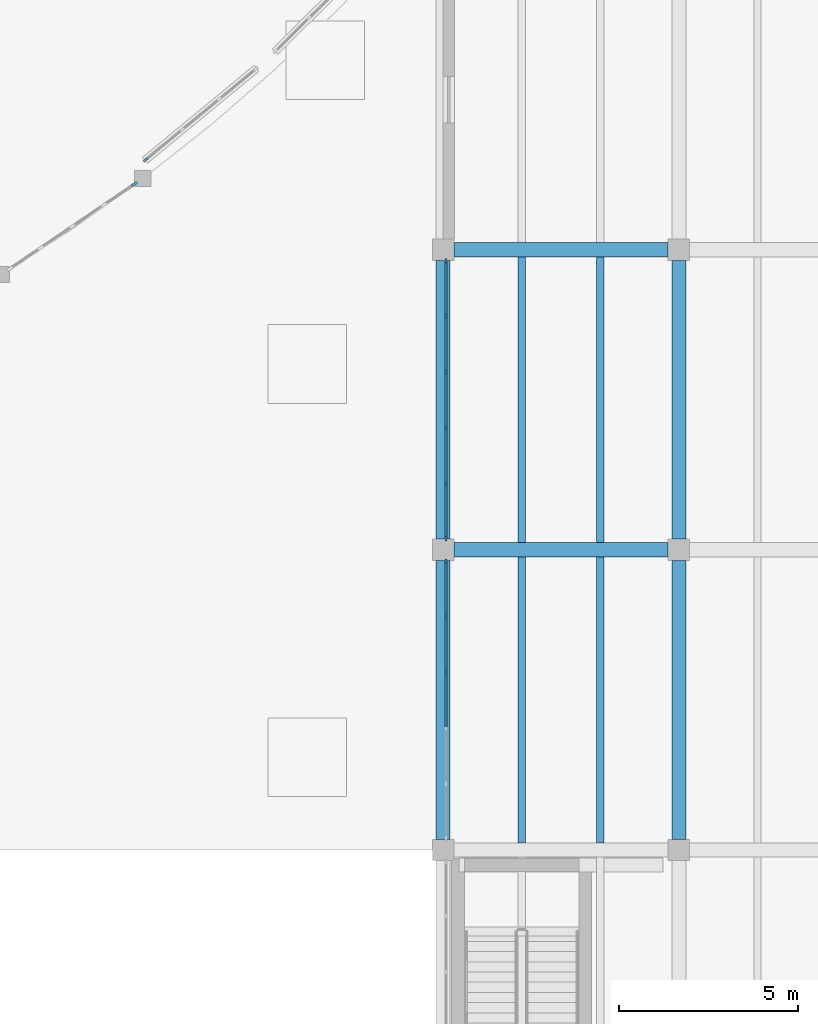
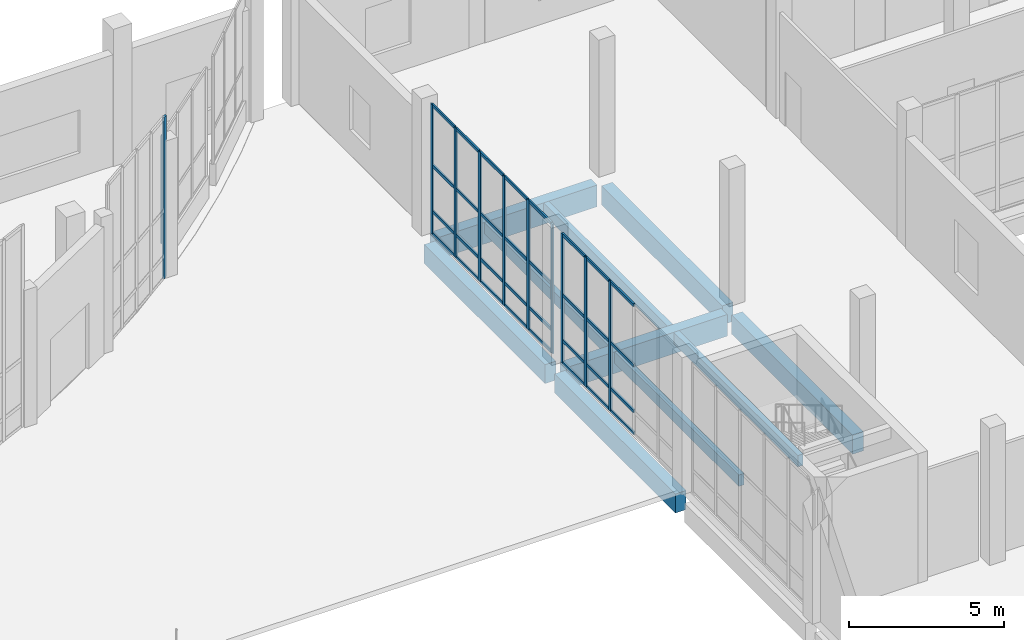
# One storey, part 24 of 64: 43 members, 10 beams, 4 elements without a shape of their own.
"""IFC4 building model written with IfcOpenShell, lengths in metres."""

from ifc_helpers import new_model, si_unit, direction, frame, origin, origin_2d, place, context, subcontext, project, spatial, rectangle, extrude, material, material_profile, profile_set, type_object, element, aggregate, save


model = new_model("IFC4")

# Units and contexts
model_context = context("Model", 3, precision=1e-05, world=origin(), true_north=direction((0.0, 1.0)))
body_context = subcontext(model_context, "Body", "Model", "MODEL_VIEW")
ifc_project = project(units=[si_unit("LENGTHUNIT", "METRE"), si_unit("AREAUNIT", "SQUARE_METRE"), si_unit("VOLUMEUNIT", "CUBIC_METRE"), si_unit("PLANEANGLEUNIT", "RADIAN"), si_unit("MASSUNIT", "GRAM", prefix="KILO")], contexts=[model_context])

# Site, building, storey
site_placement = place(None, origin())
site = spatial("IfcSite", under=ifc_project, at=site_placement, CompositionType="ELEMENT")
building_placement = place(site_placement, origin())
building = spatial("IfcBuilding", under=site, at=building_placement, Name="Qaldarim Faculty of Natural and Applied Sciences", CompositionType="ELEMENT")
storey_placement = place(building_placement, origin())
storey = spatial("IfcBuildingStorey", under=building, at=storey_placement, Name="L00", CompositionType="ELEMENT", Elevation=0.0)

# Beams
ifc_material_1 = material(Name="Concrete C50/60", Category="concrete")
ifc_material_profile_1 = material_profile(ifc_material_1, rectangle(XDim=0.39990234375, YDim=0.75, at=origin_2d()), Name="RC-B400x750")
ifc_profile_set_1 = profile_set([ifc_material_profile_1], Name="Concrete C50/60")
beam_type_1 = type_object("IfcBeamType", Name="LabGirder-RC400x750", PredefinedType="BEAM", material=ifc_profile_set_1)
beam_1_placement = place(storey_placement, frame((151.800048828125, 92.699951171875, -0.735107421875), z_axis=(0.0, 1.0, 0.0), x_axis=(-1.0, 0.0, 0.0)))
element("IfcBeam", 1, at=beam_1_placement, inside=storey, type_object=beam_type_1, Name="Beam RC-B400x750 B01 X24/Y12-Y13", PredefinedType="BEAM", context=body_context, shape_type="SweptSolid", body=[
    extrude(rectangle(XDim=0.39990234375, YDim=0.75, at=origin_2d()), origin(), (0.0, 0.0, 1.0), 7.800048828125),
])
beam_2_placement = place(storey_placement, frame((151.800048828125, 101.10009765625, -0.735107421875), z_axis=(0.0, 1.0, 0.0), x_axis=(-1.0, 0.0, 0.0)))
element("IfcBeam", 2, at=beam_2_placement, inside=storey, type_object=beam_type_1, Name="Beam RC-B400x750 B01 X24/Y13-Y14", PredefinedType="BEAM", context=body_context, shape_type="SweptSolid", body=[
    extrude(rectangle(XDim=0.39990234375, YDim=0.75, at=origin_2d()), origin(), (0.0, 0.0, 1.0), 7.7998046875),
])
beam_3_placement = place(storey_placement, frame((158.39990234375, 92.699951171875, -0.735107421875), z_axis=(0.0, 1.0, 0.0), x_axis=(-1.0, 0.0, 0.0)))
element("IfcBeam", 3, at=beam_3_placement, inside=storey, type_object=beam_type_1, Name="Beam RC-B400x750 B01 X25/Y12-Y13", PredefinedType="BEAM", context=body_context, shape_type="SweptSolid", body=[
    extrude(rectangle(XDim=0.39990234375, YDim=0.75, at=origin_2d()), origin(), (0.0, 0.0, 1.0), 7.800048828125),
])
beam_4_placement = place(storey_placement, frame((158.39990234375, 101.10009765625, -0.735107421875), z_axis=(0.0, 1.0, 0.0), x_axis=(-1.0, 0.0, 0.0)))
element("IfcBeam", 4, at=beam_4_placement, inside=storey, type_object=beam_type_1, Name="Beam RC-B400x750 B01 X25/Y13-Y14", PredefinedType="BEAM", context=body_context, shape_type="SweptSolid", body=[
    extrude(rectangle(XDim=0.39990234375, YDim=0.75, at=origin_2d()), origin(), (0.0, 0.0, 1.0), 7.7998046875),
])
ifc_material_2 = material(Name="Concrete C40/50", Category="concrete")
ifc_material_profile_2 = material_profile(ifc_material_2, rectangle(XDim=0.199951171875, YDim=0.449951171875, at=origin_2d()), Name="RC-J200x450")
ifc_profile_set_2 = profile_set([ifc_material_profile_2], Name="Concrete C40/50")
beam_type_2 = type_object("IfcBeamType", Name="LabJoist-RC200x450", PredefinedType="JOIST", material=ifc_profile_set_2)
for number, where, z_axis, x_axis, name in (
    (5, (154.0, 92.60009765625, -0.5849609375), (0.0, 1.0, 0.0), (-1.0, 0.0, 0.0), "Laboratory joist B01 bay X24Y12-1"),
    (6, (156.199951171875, 92.60009765625, -0.5849609375), (0.0, 1.0, 0.0), (-1.0, 0.0, 0.0), "Laboratory joist B01 bay X24Y12-2"),
    (7, (154.0, 101.0, -0.5849609375), (0.0, 1.0, 0.0), (-1.0, 0.0, 0.0), "Laboratory joist B01 bay X24Y13-1"),
    (8, (156.199951171875, 101.0, -0.5849609375), (0.0, 1.0, 0.0), (-1.0, 0.0, 0.0), "Laboratory joist B01 bay X24Y13-2"),
):
    element("IfcBeam", number, at=place(storey_placement, frame(where, z_axis=z_axis, x_axis=x_axis)), inside=storey, type_object=beam_type_2, Name=name, PredefinedType="JOIST", context=body_context, shape_type="SweptSolid", body=[
        extrude(rectangle(XDim=0.199951171875, YDim=0.449951171875, at=origin_2d()), origin(), (0.0, 0.0, 1.0), 8.0),
    ])

# Curtain wall, members
ifc_material_3 = material(Name="Anodised aluminium AW-6063", Category="aluminium")
curtain_wall_type_1 = type_object("IfcCurtainWallType", Name="CurtainWallSystem-M1600", PredefinedType="USERDEFINED", material=ifc_material_3)
curtain_wall_1_placement = place(storey_placement, origin())
curtain_wall_1 = element("IfcCurtainWall", 9, at=curtain_wall_1_placement, inside=storey, type_object=curtain_wall_type_1, Name="Curtain wall CW-L00-W-X24Y12", ObjectType="UNITISED FACADE", PredefinedType="USERDEFINED")
ifc_material_profile_3 = material_profile(ifc_material_3, rectangle(XDim=0.06005859375, YDim=0.14990234375, at=origin_2d()), Name="ALU-M60x150")
ifc_profile_set_3 = profile_set([ifc_material_profile_3], Name="Anodised aluminium AW-6063")
member_type_1 = type_object("IfcMemberType", Name="Mullion-ALU60x150", PredefinedType="MULLION", material=ifc_profile_set_3)
member_1_placement = place(storey_placement, frame((151.8798828125, 100.47509765625, 0.0), z_axis=(0.0, 0.0, 1.0), x_axis=(1.0, 0.0, 0.0)))
member_1 = element("IfcMember", 10, at=member_1_placement, type_object=member_type_1, Name="Mullion 1 of CW-L00-W-X24Y12", PredefinedType="MULLION", context=body_context, shape_type="SweptSolid", body=[
    extrude(rectangle(XDim=0.06005859375, YDim=0.14990234375, at=origin_2d()), origin(), (0.0, 0.0, 1.0), 5.10009765625),
])
member_2_placement = place(storey_placement, frame((151.8798828125, 98.943115234375, 0.0), z_axis=(0.0, 0.0, 1.0), x_axis=(1.0, 0.0, 0.0)))
member_2 = element("IfcMember", 11, at=member_2_placement, type_object=member_type_1, Name="Mullion 2 of CW-L00-W-X24Y12", PredefinedType="MULLION", context=body_context, shape_type="SweptSolid", body=[
    extrude(rectangle(XDim=0.06005859375, YDim=0.14990234375, at=origin_2d()), origin(), (0.0, 0.0, 1.0), 5.10009765625),
])
member_3_placement = place(storey_placement, frame((151.8798828125, 97.381103515625, 0.0), z_axis=(0.0, 0.0, 1.0), x_axis=(1.0, 0.0, 0.0)))
member_3 = element("IfcMember", 12, at=member_3_placement, type_object=member_type_1, Name="Mullion 3 of CW-L00-W-X24Y12", PredefinedType="MULLION", context=body_context, shape_type="SweptSolid", body=[
    extrude(rectangle(XDim=0.06005859375, YDim=0.14990234375, at=origin_2d()), origin(), (0.0, 0.0, 1.0), 5.10009765625),
])

curtain_wall_2_placement = place(storey_placement, origin())
curtain_wall_2 = element("IfcCurtainWall", 13, at=curtain_wall_2_placement, inside=storey, type_object=curtain_wall_type_1, Name="Curtain wall CW-L00-W-X24Y13", ObjectType="UNITISED FACADE", PredefinedType="USERDEFINED")
member_4_placement = place(storey_placement, frame((151.8798828125, 108.875, 0.0), z_axis=(0.0, 0.0, 1.0), x_axis=(1.0, 0.0, 0.0)))
member_4 = element("IfcMember", 14, at=member_4_placement, type_object=member_type_1, Name="Mullion 1 of CW-L00-W-X24Y13", PredefinedType="MULLION", context=body_context, shape_type="SweptSolid", body=[
    extrude(rectangle(XDim=0.06005859375, YDim=0.14990234375, at=origin_2d()), origin(), (0.0, 0.0, 1.0), 5.10009765625),
])
member_5_placement = place(storey_placement, frame((151.8798828125, 107.343017578125, 0.0), z_axis=(0.0, 0.0, 1.0), x_axis=(1.0, 0.0, 0.0)))
member_5 = element("IfcMember", 15, at=member_5_placement, type_object=member_type_1, Name="Mullion 2 of CW-L00-W-X24Y13", PredefinedType="MULLION", context=body_context, shape_type="SweptSolid", body=[
    extrude(rectangle(XDim=0.06005859375, YDim=0.14990234375, at=origin_2d()), origin(), (0.0, 0.0, 1.0), 5.10009765625),
])
member_6_placement = place(storey_placement, frame((151.8798828125, 105.781005859375, 0.0), z_axis=(0.0, 0.0, 1.0), x_axis=(1.0, 0.0, 0.0)))
member_6 = element("IfcMember", 16, at=member_6_placement, type_object=member_type_1, Name="Mullion 3 of CW-L00-W-X24Y13", PredefinedType="MULLION", context=body_context, shape_type="SweptSolid", body=[
    extrude(rectangle(XDim=0.06005859375, YDim=0.14990234375, at=origin_2d()), origin(), (0.0, 0.0, 1.0), 5.10009765625),
])
member_7_placement = place(storey_placement, frame((151.8798828125, 104.218994140625, 0.0), z_axis=(0.0, 0.0, 1.0), x_axis=(1.0, 0.0, 0.0)))
member_7 = element("IfcMember", 17, at=member_7_placement, type_object=member_type_1, Name="Mullion 4 of CW-L00-W-X24Y13", PredefinedType="MULLION", context=body_context, shape_type="SweptSolid", body=[
    extrude(rectangle(XDim=0.06005859375, YDim=0.14990234375, at=origin_2d()), origin(), (0.0, 0.0, 1.0), 5.10009765625),
])
member_8_placement = place(storey_placement, frame((151.8798828125, 102.656982421875, 0.0), z_axis=(0.0, 0.0, 1.0), x_axis=(1.0, 0.0, 0.0)))
member_8 = element("IfcMember", 18, at=member_8_placement, type_object=member_type_1, Name="Mullion 5 of CW-L00-W-X24Y13", PredefinedType="MULLION", context=body_context, shape_type="SweptSolid", body=[
    extrude(rectangle(XDim=0.06005859375, YDim=0.14990234375, at=origin_2d()), origin(), (0.0, 0.0, 1.0), 5.10009765625),
])
member_9_placement = place(storey_placement, frame((151.8798828125, 101.125, 0.0), z_axis=(0.0, 0.0, 1.0), x_axis=(1.0, 0.0, 0.0)))
member_9 = element("IfcMember", 19, at=member_9_placement, type_object=member_type_1, Name="Mullion 6 of CW-L00-W-X24Y13", PredefinedType="MULLION", context=body_context, shape_type="SweptSolid", body=[
    extrude(rectangle(XDim=0.06005859375, YDim=0.14990234375, at=origin_2d()), origin(), (0.0, 0.0, 1.0), 5.10009765625),
])

# Curtain wall, member
curtain_wall_type_2 = type_object("IfcCurtainWallType", Name="CurtainWallSystem-M1400", PredefinedType="USERDEFINED", material=ifc_material_3)
curtain_wall_3_placement = place(storey_placement, origin())
curtain_wall_3 = element("IfcCurtainWall", 20, at=curtain_wall_3_placement, inside=storey, type_object=curtain_wall_type_2, Name="Curtain wall CW-V4ARC-L00-14", ObjectType="STICK CURTAIN WALL", PredefinedType="USERDEFINED")
member_10_placement = place(storey_placement, frame((143.478271484375, 111.718994140625, 0.85009765625), z_axis=(0.0, 0.0, 1.0), x_axis=(-0.635930067271, 0.771746687418, 0.0)))
member_10 = element("IfcMember", 21, at=member_10_placement, type_object=member_type_1, Name="Mullion 1 of CW-V4ARC-L00-14", PredefinedType="MULLION", context=body_context, shape_type="SweptSolid", body=[
    extrude(rectangle(XDim=0.06005859375, YDim=0.14990234375, at=origin_2d()), origin(), (0.0, 0.0, 1.0), 4.25),
])
aggregate(curtain_wall_3, [member_10])

curtain_wall_type_3 = type_object("IfcCurtainWallType", Name="CurtainWallSystem-M1200", PredefinedType="USERDEFINED", material=ifc_material_3)
curtain_wall_4_placement = place(storey_placement, origin())
curtain_wall_4 = element("IfcCurtainWall", 22, at=curtain_wall_4_placement, inside=storey, type_object=curtain_wall_type_3, Name="Curtain wall CW-PORT-ARCH-6", ObjectType="STICK CURTAIN WALL", PredefinedType="USERDEFINED")
ifc_material_profile_4 = material_profile(ifc_material_3, rectangle(XDim=0.070068359375, YDim=0.179931640625, at=origin_2d()), Name="ALU-M70x180")
ifc_profile_set_4 = profile_set([ifc_material_profile_4], Name="Anodised aluminium AW-6063")
member_type_2 = type_object("IfcMemberType", Name="Mullion-ALU70x180", PredefinedType="MULLION", material=ifc_profile_set_4)
member_11_placement = place(storey_placement, frame((143.160888671875, 111.035400390625, 0.0), z_axis=(0.0, 0.0, 1.0), x_axis=(-0.561953453405, 0.827168855921, 0.0)))
member_11 = element("IfcMember", 23, at=member_11_placement, type_object=member_type_2, Name="Mullion 5 of CW-PORT-ARCH-6", PredefinedType="MULLION", context=body_context, shape_type="SweptSolid", body=[
    extrude(rectangle(XDim=0.070068359375, YDim=0.179931640625, at=origin_2d()), origin(), (0.0, 0.0, 1.0), 6.35009765625),
])
aggregate(curtain_wall_4, [member_11])

# Beams
ifc_material_profile_5 = material_profile(ifc_material_1, rectangle(XDim=0.39990234375, YDim=0.85009765625, at=origin_2d()), Name="RC-B400x850")
ifc_profile_set_5 = profile_set([ifc_material_profile_5], Name="Concrete C50/60")
beam_type_3 = type_object("IfcBeamType", Name="PodiumGirder-RC400x850", PredefinedType="BEAM", material=ifc_profile_set_5)
for number, where, z_axis, x_axis, name in (
    (24, (152.10009765625, 100.800048828125, -0.784912109375), (1.0, 0.0, 0.0), (0.0, 1.0, 0.0), "Beam RC-B400x850 B01 X24-X25/Y13"),
    (25, (152.10009765625, 109.199951171875, -0.784912109375), (1.0, 0.0, 0.0), (0.0, 1.0, 0.0), "Beam RC-B400x850 B01 X24-X25/Y14"),
):
    element("IfcBeam", number, at=place(storey_placement, frame(where, z_axis=z_axis, x_axis=x_axis)), inside=storey, type_object=beam_type_3, Name=name, PredefinedType="BEAM", context=body_context, shape_type="SweptSolid", body=[
        extrude(rectangle(XDim=0.39990234375, YDim=0.85009765625, at=origin_2d()), origin(), (0.0, 0.0, 1.0), 6.0),
    ])

# Member
ifc_material_profile_6 = material_profile(ifc_material_3, rectangle(XDim=0.06005859375, YDim=0.1201171875, at=origin_2d()), Name="ALU-T60x120")
ifc_profile_set_6 = profile_set([ifc_material_profile_6], Name="Anodised aluminium AW-6063")
member_type_3 = type_object("IfcMemberType", Name="Transom-ALU60x120", PredefinedType="USERDEFINED", material=ifc_profile_set_6)
member_12_placement = place(storey_placement, frame((151.8798828125, 100.445068359375, 0.030029296875), z_axis=(0.0, -1.0, 0.0), x_axis=(1.0, 0.0, 0.0)))
member_12 = element("IfcMember", 26, at=member_12_placement, type_object=member_type_3, Name="Transom 1-1 of CW-L00-W-X24Y12", ObjectType="TRANSOM", PredefinedType="USERDEFINED", context=body_context, shape_type="SweptSolid", body=[
    extrude(rectangle(XDim=0.06005859375, YDim=0.1201171875, at=origin_2d()), origin(), (0.0, 0.0, 1.0), 1.47216796875),
])

member_13_placement = place(storey_placement, frame((151.8798828125, 100.445068359375, 0.89990234375), z_axis=(0.0, -1.0, 0.0), x_axis=(1.0, 0.0, 0.0)))
member_13 = element("IfcMember", 27, at=member_13_placement, type_object=member_type_3, Name="Transom 1-2 of CW-L00-W-X24Y12", ObjectType="TRANSOM", PredefinedType="USERDEFINED", context=body_context, shape_type="SweptSolid", body=[
    extrude(rectangle(XDim=0.06005859375, YDim=0.1201171875, at=origin_2d()), origin(), (0.0, 0.0, 1.0), 1.47216796875),
])

member_14_placement = place(storey_placement, frame((151.8798828125, 100.445068359375, 2.699951171875), z_axis=(0.0, -1.0, 0.0), x_axis=(1.0, 0.0, 0.0)))
member_14 = element("IfcMember", 28, at=member_14_placement, type_object=member_type_3, Name="Transom 1-3 of CW-L00-W-X24Y12", ObjectType="TRANSOM", PredefinedType="USERDEFINED", context=body_context, shape_type="SweptSolid", body=[
    extrude(rectangle(XDim=0.06005859375, YDim=0.1201171875, at=origin_2d()), origin(), (0.0, 0.0, 1.0), 1.47216796875),
])

member_15_placement = place(storey_placement, frame((151.8798828125, 100.445068359375, 5.070068359375), z_axis=(0.0, -1.0, 0.0), x_axis=(1.0, 0.0, 0.0)))
member_15 = element("IfcMember", 29, at=member_15_placement, type_object=member_type_3, Name="Transom 1-4 of CW-L00-W-X24Y12", ObjectType="TRANSOM", PredefinedType="USERDEFINED", context=body_context, shape_type="SweptSolid", body=[
    extrude(rectangle(XDim=0.06005859375, YDim=0.1201171875, at=origin_2d()), origin(), (0.0, 0.0, 1.0), 1.47216796875),
])

member_16_placement = place(storey_placement, frame((151.8798828125, 98.9130859375, 0.030029296875), z_axis=(0.0, -1.0, 0.0), x_axis=(1.0, 0.0, 0.0)))
member_16 = element("IfcMember", 30, at=member_16_placement, type_object=member_type_3, Name="Transom 2-1 of CW-L00-W-X24Y12", ObjectType="TRANSOM", PredefinedType="USERDEFINED", context=body_context, shape_type="SweptSolid", body=[
    extrude(rectangle(XDim=0.06005859375, YDim=0.1201171875, at=origin_2d()), origin(), (0.0, 0.0, 1.0), 1.502197265625),
])

member_17_placement = place(storey_placement, frame((151.8798828125, 98.9130859375, 0.89990234375), z_axis=(0.0, -1.0, 0.0), x_axis=(1.0, 0.0, 0.0)))
member_17 = element("IfcMember", 31, at=member_17_placement, type_object=member_type_3, Name="Transom 2-2 of CW-L00-W-X24Y12", ObjectType="TRANSOM", PredefinedType="USERDEFINED", context=body_context, shape_type="SweptSolid", body=[
    extrude(rectangle(XDim=0.06005859375, YDim=0.1201171875, at=origin_2d()), origin(), (0.0, 0.0, 1.0), 1.502197265625),
])

member_18_placement = place(storey_placement, frame((151.8798828125, 98.9130859375, 2.699951171875), z_axis=(0.0, -1.0, 0.0), x_axis=(1.0, 0.0, 0.0)))
member_18 = element("IfcMember", 32, at=member_18_placement, type_object=member_type_3, Name="Transom 2-3 of CW-L00-W-X24Y12", ObjectType="TRANSOM", PredefinedType="USERDEFINED", context=body_context, shape_type="SweptSolid", body=[
    extrude(rectangle(XDim=0.06005859375, YDim=0.1201171875, at=origin_2d()), origin(), (0.0, 0.0, 1.0), 1.502197265625),
])

member_19_placement = place(storey_placement, frame((151.8798828125, 98.9130859375, 5.070068359375), z_axis=(0.0, -1.0, 0.0), x_axis=(1.0, 0.0, 0.0)))
member_19 = element("IfcMember", 33, at=member_19_placement, type_object=member_type_3, Name="Transom 2-4 of CW-L00-W-X24Y12", ObjectType="TRANSOM", PredefinedType="USERDEFINED", context=body_context, shape_type="SweptSolid", body=[
    extrude(rectangle(XDim=0.06005859375, YDim=0.1201171875, at=origin_2d()), origin(), (0.0, 0.0, 1.0), 1.502197265625),
])

member_20_placement = place(storey_placement, frame((151.8798828125, 97.35107421875, 0.030029296875), z_axis=(0.0, -1.0, 0.0), x_axis=(1.0, 0.0, 0.0)))
member_20 = element("IfcMember", 34, at=member_20_placement, type_object=member_type_3, Name="Transom 3-1 of CW-L00-W-X24Y12", ObjectType="TRANSOM", PredefinedType="USERDEFINED", context=body_context, shape_type="SweptSolid", body=[
    extrude(rectangle(XDim=0.06005859375, YDim=0.1201171875, at=origin_2d()), origin(), (0.0, 0.0, 1.0), 1.501953125),
])

member_21_placement = place(storey_placement, frame((151.8798828125, 97.35107421875, 0.89990234375), z_axis=(0.0, -1.0, 0.0), x_axis=(1.0, 0.0, 0.0)))
member_21 = element("IfcMember", 35, at=member_21_placement, type_object=member_type_3, Name="Transom 3-2 of CW-L00-W-X24Y12", ObjectType="TRANSOM", PredefinedType="USERDEFINED", context=body_context, shape_type="SweptSolid", body=[
    extrude(rectangle(XDim=0.06005859375, YDim=0.1201171875, at=origin_2d()), origin(), (0.0, 0.0, 1.0), 1.501953125),
])

member_22_placement = place(storey_placement, frame((151.8798828125, 97.35107421875, 2.699951171875), z_axis=(0.0, -1.0, 0.0), x_axis=(1.0, 0.0, 0.0)))
member_22 = element("IfcMember", 36, at=member_22_placement, type_object=member_type_3, Name="Transom 3-3 of CW-L00-W-X24Y12", ObjectType="TRANSOM", PredefinedType="USERDEFINED", context=body_context, shape_type="SweptSolid", body=[
    extrude(rectangle(XDim=0.06005859375, YDim=0.1201171875, at=origin_2d()), origin(), (0.0, 0.0, 1.0), 1.501953125),
])

member_23_placement = place(storey_placement, frame((151.8798828125, 97.35107421875, 5.070068359375), z_axis=(0.0, -1.0, 0.0), x_axis=(1.0, 0.0, 0.0)))
member_23 = element("IfcMember", 37, at=member_23_placement, type_object=member_type_3, Name="Transom 3-4 of CW-L00-W-X24Y12", ObjectType="TRANSOM", PredefinedType="USERDEFINED", context=body_context, shape_type="SweptSolid", body=[
    extrude(rectangle(XDim=0.06005859375, YDim=0.1201171875, at=origin_2d()), origin(), (0.0, 0.0, 1.0), 1.501953125),
])

aggregate(curtain_wall_1, [member_1, member_2, member_3, member_12, member_13, member_14, member_15, member_16, member_17, member_18, member_19, member_20, member_21, member_22, member_23])

member_24_placement = place(storey_placement, frame((151.8798828125, 108.844970703125, 0.030029296875), z_axis=(0.0, -1.0, 0.0), x_axis=(1.0, 0.0, 0.0)))
member_24 = element("IfcMember", 38, at=member_24_placement, type_object=member_type_3, Name="Transom 1-1 of CW-L00-W-X24Y13", ObjectType="TRANSOM", PredefinedType="USERDEFINED", context=body_context, shape_type="SweptSolid", body=[
    extrude(rectangle(XDim=0.06005859375, YDim=0.1201171875, at=origin_2d()), origin(), (0.0, 0.0, 1.0), 1.471923828125),
])

member_25_placement = place(storey_placement, frame((151.8798828125, 108.844970703125, 0.89990234375), z_axis=(0.0, -1.0, 0.0), x_axis=(1.0, 0.0, 0.0)))
member_25 = element("IfcMember", 39, at=member_25_placement, type_object=member_type_3, Name="Transom 1-2 of CW-L00-W-X24Y13", ObjectType="TRANSOM", PredefinedType="USERDEFINED", context=body_context, shape_type="SweptSolid", body=[
    extrude(rectangle(XDim=0.06005859375, YDim=0.1201171875, at=origin_2d()), origin(), (0.0, 0.0, 1.0), 1.471923828125),
])

member_26_placement = place(storey_placement, frame((151.8798828125, 108.844970703125, 2.699951171875), z_axis=(0.0, -1.0, 0.0), x_axis=(1.0, 0.0, 0.0)))
member_26 = element("IfcMember", 40, at=member_26_placement, type_object=member_type_3, Name="Transom 1-3 of CW-L00-W-X24Y13", ObjectType="TRANSOM", PredefinedType="USERDEFINED", context=body_context, shape_type="SweptSolid", body=[
    extrude(rectangle(XDim=0.06005859375, YDim=0.1201171875, at=origin_2d()), origin(), (0.0, 0.0, 1.0), 1.471923828125),
])

member_27_placement = place(storey_placement, frame((151.8798828125, 108.844970703125, 5.070068359375), z_axis=(0.0, -1.0, 0.0), x_axis=(1.0, 0.0, 0.0)))
member_27 = element("IfcMember", 41, at=member_27_placement, type_object=member_type_3, Name="Transom 1-4 of CW-L00-W-X24Y13", ObjectType="TRANSOM", PredefinedType="USERDEFINED", context=body_context, shape_type="SweptSolid", body=[
    extrude(rectangle(XDim=0.06005859375, YDim=0.1201171875, at=origin_2d()), origin(), (0.0, 0.0, 1.0), 1.471923828125),
])

member_28_placement = place(storey_placement, frame((151.8798828125, 107.31298828125, 0.030029296875), z_axis=(0.0, -1.0, 0.0), x_axis=(1.0, 0.0, 0.0)))
member_28 = element("IfcMember", 42, at=member_28_placement, type_object=member_type_3, Name="Transom 2-1 of CW-L00-W-X24Y13", ObjectType="TRANSOM", PredefinedType="USERDEFINED", context=body_context, shape_type="SweptSolid", body=[
    extrude(rectangle(XDim=0.06005859375, YDim=0.1201171875, at=origin_2d()), origin(), (0.0, 0.0, 1.0), 1.501953125),
])

member_29_placement = place(storey_placement, frame((151.8798828125, 107.31298828125, 0.89990234375), z_axis=(0.0, -1.0, 0.0), x_axis=(1.0, 0.0, 0.0)))
member_29 = element("IfcMember", 43, at=member_29_placement, type_object=member_type_3, Name="Transom 2-2 of CW-L00-W-X24Y13", ObjectType="TRANSOM", PredefinedType="USERDEFINED", context=body_context, shape_type="SweptSolid", body=[
    extrude(rectangle(XDim=0.06005859375, YDim=0.1201171875, at=origin_2d()), origin(), (0.0, 0.0, 1.0), 1.501953125),
])

member_30_placement = place(storey_placement, frame((151.8798828125, 107.31298828125, 2.699951171875), z_axis=(0.0, -1.0, 0.0), x_axis=(1.0, 0.0, 0.0)))
member_30 = element("IfcMember", 44, at=member_30_placement, type_object=member_type_3, Name="Transom 2-3 of CW-L00-W-X24Y13", ObjectType="TRANSOM", PredefinedType="USERDEFINED", context=body_context, shape_type="SweptSolid", body=[
    extrude(rectangle(XDim=0.06005859375, YDim=0.1201171875, at=origin_2d()), origin(), (0.0, 0.0, 1.0), 1.501953125),
])

member_31_placement = place(storey_placement, frame((151.8798828125, 107.31298828125, 5.070068359375), z_axis=(0.0, -1.0, 0.0), x_axis=(1.0, 0.0, 0.0)))
member_31 = element("IfcMember", 45, at=member_31_placement, type_object=member_type_3, Name="Transom 2-4 of CW-L00-W-X24Y13", ObjectType="TRANSOM", PredefinedType="USERDEFINED", context=body_context, shape_type="SweptSolid", body=[
    extrude(rectangle(XDim=0.06005859375, YDim=0.1201171875, at=origin_2d()), origin(), (0.0, 0.0, 1.0), 1.501953125),
])

member_32_placement = place(storey_placement, frame((151.8798828125, 105.7509765625, 0.030029296875), z_axis=(0.0, -1.0, 0.0), x_axis=(1.0, 0.0, 0.0)))
member_32 = element("IfcMember", 46, at=member_32_placement, type_object=member_type_3, Name="Transom 3-1 of CW-L00-W-X24Y13", ObjectType="TRANSOM", PredefinedType="USERDEFINED", context=body_context, shape_type="SweptSolid", body=[
    extrude(rectangle(XDim=0.06005859375, YDim=0.1201171875, at=origin_2d()), origin(), (0.0, 0.0, 1.0), 1.501953125),
])

member_33_placement = place(storey_placement, frame((151.8798828125, 105.7509765625, 0.89990234375), z_axis=(0.0, -1.0, 0.0), x_axis=(1.0, 0.0, 0.0)))
member_33 = element("IfcMember", 47, at=member_33_placement, type_object=member_type_3, Name="Transom 3-2 of CW-L00-W-X24Y13", ObjectType="TRANSOM", PredefinedType="USERDEFINED", context=body_context, shape_type="SweptSolid", body=[
    extrude(rectangle(XDim=0.06005859375, YDim=0.1201171875, at=origin_2d()), origin(), (0.0, 0.0, 1.0), 1.501953125),
])

member_34_placement = place(storey_placement, frame((151.8798828125, 105.7509765625, 2.699951171875), z_axis=(0.0, -1.0, 0.0), x_axis=(1.0, 0.0, 0.0)))
member_34 = element("IfcMember", 48, at=member_34_placement, type_object=member_type_3, Name="Transom 3-3 of CW-L00-W-X24Y13", ObjectType="TRANSOM", PredefinedType="USERDEFINED", context=body_context, shape_type="SweptSolid", body=[
    extrude(rectangle(XDim=0.06005859375, YDim=0.1201171875, at=origin_2d()), origin(), (0.0, 0.0, 1.0), 1.501953125),
])

member_35_placement = place(storey_placement, frame((151.8798828125, 105.7509765625, 5.070068359375), z_axis=(0.0, -1.0, 0.0), x_axis=(1.0, 0.0, 0.0)))
member_35 = element("IfcMember", 49, at=member_35_placement, type_object=member_type_3, Name="Transom 3-4 of CW-L00-W-X24Y13", ObjectType="TRANSOM", PredefinedType="USERDEFINED", context=body_context, shape_type="SweptSolid", body=[
    extrude(rectangle(XDim=0.06005859375, YDim=0.1201171875, at=origin_2d()), origin(), (0.0, 0.0, 1.0), 1.501953125),
])

member_36_placement = place(storey_placement, frame((151.8798828125, 104.18896484375, 0.030029296875), z_axis=(0.0, -1.0, 0.0), x_axis=(1.0, 0.0, 0.0)))
member_36 = element("IfcMember", 50, at=member_36_placement, type_object=member_type_3, Name="Transom 4-1 of CW-L00-W-X24Y13", ObjectType="TRANSOM", PredefinedType="USERDEFINED", context=body_context, shape_type="SweptSolid", body=[
    extrude(rectangle(XDim=0.06005859375, YDim=0.1201171875, at=origin_2d()), origin(), (0.0, 0.0, 1.0), 1.501953125),
])

member_37_placement = place(storey_placement, frame((151.8798828125, 104.18896484375, 0.89990234375), z_axis=(0.0, -1.0, 0.0), x_axis=(1.0, 0.0, 0.0)))
member_37 = element("IfcMember", 51, at=member_37_placement, type_object=member_type_3, Name="Transom 4-2 of CW-L00-W-X24Y13", ObjectType="TRANSOM", PredefinedType="USERDEFINED", context=body_context, shape_type="SweptSolid", body=[
    extrude(rectangle(XDim=0.06005859375, YDim=0.1201171875, at=origin_2d()), origin(), (0.0, 0.0, 1.0), 1.501953125),
])

member_38_placement = place(storey_placement, frame((151.8798828125, 104.18896484375, 2.699951171875), z_axis=(0.0, -1.0, 0.0), x_axis=(1.0, 0.0, 0.0)))
member_38 = element("IfcMember", 52, at=member_38_placement, type_object=member_type_3, Name="Transom 4-3 of CW-L00-W-X24Y13", ObjectType="TRANSOM", PredefinedType="USERDEFINED", context=body_context, shape_type="SweptSolid", body=[
    extrude(rectangle(XDim=0.06005859375, YDim=0.1201171875, at=origin_2d()), origin(), (0.0, 0.0, 1.0), 1.501953125),
])

member_39_placement = place(storey_placement, frame((151.8798828125, 104.18896484375, 5.070068359375), z_axis=(0.0, -1.0, 0.0), x_axis=(1.0, 0.0, 0.0)))
member_39 = element("IfcMember", 53, at=member_39_placement, type_object=member_type_3, Name="Transom 4-4 of CW-L00-W-X24Y13", ObjectType="TRANSOM", PredefinedType="USERDEFINED", context=body_context, shape_type="SweptSolid", body=[
    extrude(rectangle(XDim=0.06005859375, YDim=0.1201171875, at=origin_2d()), origin(), (0.0, 0.0, 1.0), 1.501953125),
])

member_40_placement = place(storey_placement, frame((151.8798828125, 102.626953125, 0.030029296875), z_axis=(0.0, -1.0, 0.0), x_axis=(1.0, 0.0, 0.0)))
member_40 = element("IfcMember", 54, at=member_40_placement, type_object=member_type_3, Name="Transom 5-1 of CW-L00-W-X24Y13", ObjectType="TRANSOM", PredefinedType="USERDEFINED", context=body_context, shape_type="SweptSolid", body=[
    extrude(rectangle(XDim=0.06005859375, YDim=0.1201171875, at=origin_2d()), origin(), (0.0, 0.0, 1.0), 1.471923828125),
])

member_41_placement = place(storey_placement, frame((151.8798828125, 102.626953125, 0.89990234375), z_axis=(0.0, -1.0, 0.0), x_axis=(1.0, 0.0, 0.0)))
member_41 = element("IfcMember", 55, at=member_41_placement, type_object=member_type_3, Name="Transom 5-2 of CW-L00-W-X24Y13", ObjectType="TRANSOM", PredefinedType="USERDEFINED", context=body_context, shape_type="SweptSolid", body=[
    extrude(rectangle(XDim=0.06005859375, YDim=0.1201171875, at=origin_2d()), origin(), (0.0, 0.0, 1.0), 1.471923828125),
])

member_42_placement = place(storey_placement, frame((151.8798828125, 102.626953125, 2.699951171875), z_axis=(0.0, -1.0, 0.0), x_axis=(1.0, 0.0, 0.0)))
member_42 = element("IfcMember", 56, at=member_42_placement, type_object=member_type_3, Name="Transom 5-3 of CW-L00-W-X24Y13", ObjectType="TRANSOM", PredefinedType="USERDEFINED", context=body_context, shape_type="SweptSolid", body=[
    extrude(rectangle(XDim=0.06005859375, YDim=0.1201171875, at=origin_2d()), origin(), (0.0, 0.0, 1.0), 1.471923828125),
])

member_43_placement = place(storey_placement, frame((151.8798828125, 102.626953125, 5.070068359375), z_axis=(0.0, -1.0, 0.0), x_axis=(1.0, 0.0, 0.0)))
member_43 = element("IfcMember", 57, at=member_43_placement, type_object=member_type_3, Name="Transom 5-4 of CW-L00-W-X24Y13", ObjectType="TRANSOM", PredefinedType="USERDEFINED", context=body_context, shape_type="SweptSolid", body=[
    extrude(rectangle(XDim=0.06005859375, YDim=0.1201171875, at=origin_2d()), origin(), (0.0, 0.0, 1.0), 1.471923828125),
])

aggregate(curtain_wall_2, [member_4, member_5, member_6, member_7, member_8, member_9, member_24, member_25, member_26, member_27, member_28, member_29, member_30, member_31, member_32, member_33, member_34, member_35, member_36, member_37, member_38, member_39, member_40, member_41, member_42, member_43])

save(model, "model.ifc")
